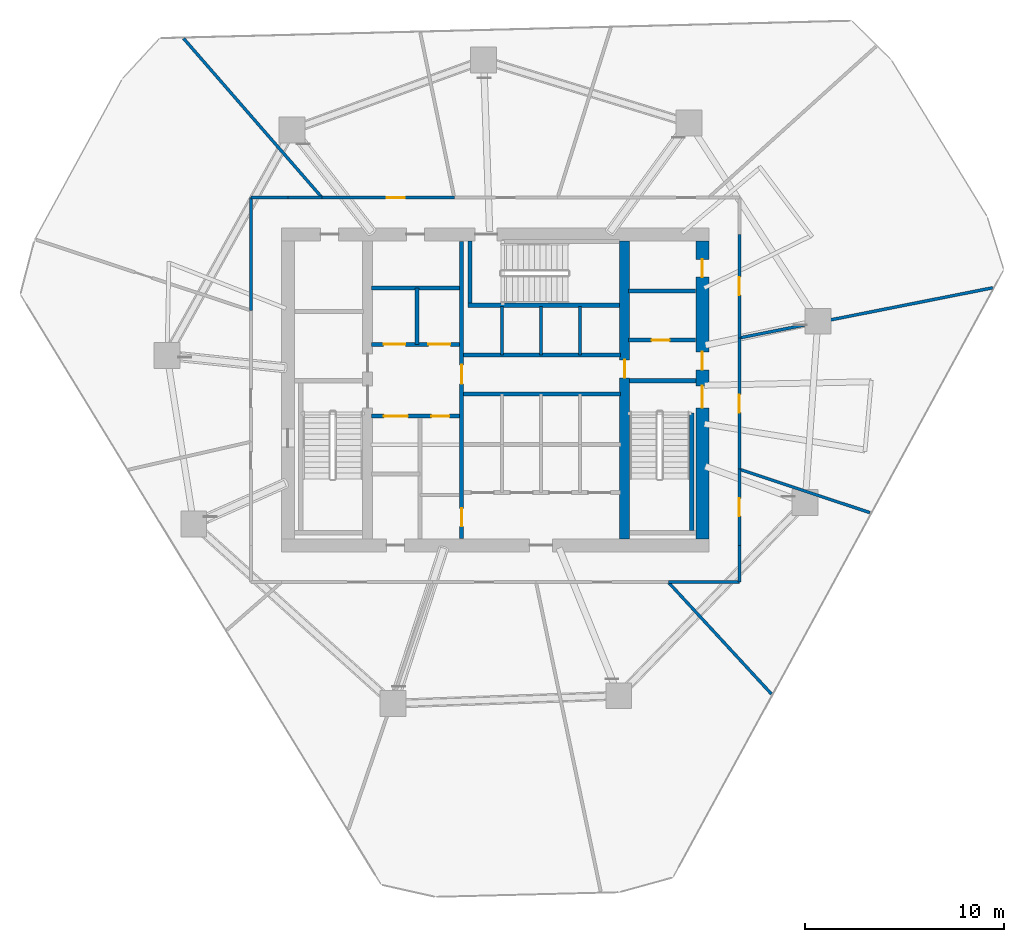
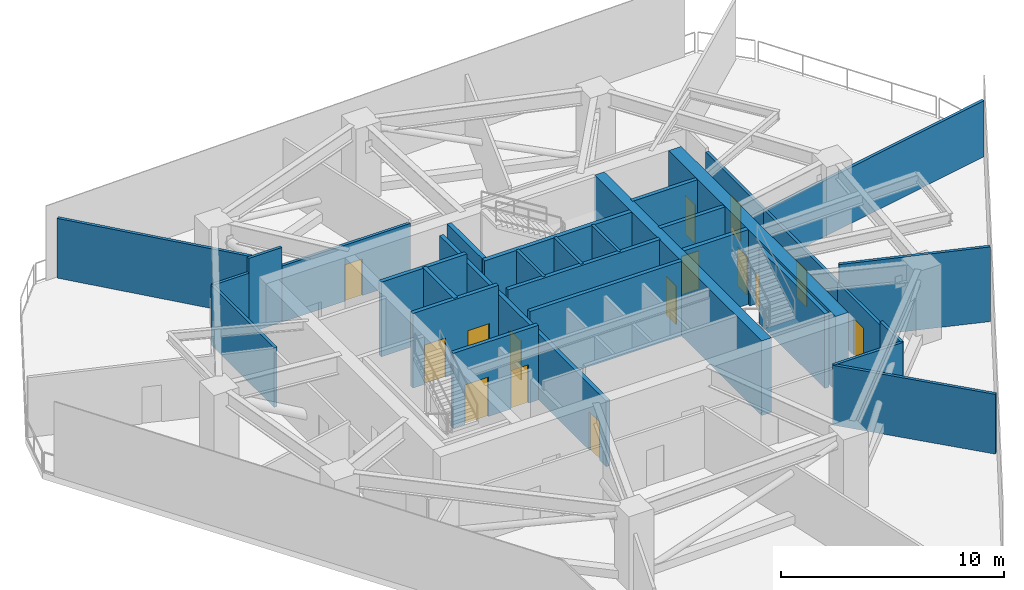
# One storey, part 4 of 7: 31 walls, 15 doors, 15 openings.
"""IFC4 building model written with IfcOpenShell, lengths in metres."""

from ifc_helpers import new_model, si_unit, direction, frame, frame_2d, origin, place, context, subcontext, project, spatial, rectangle, extrude, material, layer, layer_set, type_object, element, fill, save


model = new_model("IFC4")

# Units and contexts
model_context = context("Model", 3, precision=1e-05, world=origin(), true_north=direction((0.0, 1.0)))
body_context = subcontext(model_context, "Body", "Model", "MODEL_VIEW")
ifc_project = project(units=[si_unit("LENGTHUNIT", "METRE"), si_unit("AREAUNIT", "SQUARE_METRE"), si_unit("VOLUMEUNIT", "CUBIC_METRE"), si_unit("PLANEANGLEUNIT", "RADIAN"), si_unit("MASSUNIT", "GRAM", prefix="KILO")], contexts=[model_context])

# Site, building, storey
site_placement = place(None, origin())
site = spatial("IfcSite", under=ifc_project, at=site_placement, CompositionType="ELEMENT")
building_placement = place(site_placement, origin())
building = spatial("IfcBuilding", under=site, at=building_placement, Name="Qarnah Convention Tower", CompositionType="ELEMENT")
storey_placement = place(building_placement, frame((0.0, 0.0, 71.85009765625)))
storey = spatial("IfcBuildingStorey", under=building, at=storey_placement, Name="L18", CompositionType="ELEMENT", Elevation=71.85009765625)

# Wall, openings, doors
ifc_material_1 = material(Name="Concrete C60/75", Category="concrete")
ifc_layer_1 = layer(ifc_material_1, 0.64990234375)
ifc_layer_set_1 = layer_set([ifc_layer_1], Name="Concrete C60/75")
wall_type_1 = type_object("IfcWallType", Name="WL-CORE-650", PredefinedType="SHEAR", material=ifc_layer_set_1)
wall_1_placement = place(storey_placement, frame((47.60009765625, 18.925048828125, 0.0), z_axis=(0.0, 0.0, 1.0), x_axis=(0.0, 1.0, 0.0)))
wall_1 = element("IfcWall", 1, at=wall_1_placement, inside=storey, type_object=wall_type_1, Name="L18 core east shear wall", PredefinedType="SHEAR", context=body_context, shape_type="SweptSolid", body=[
    extrude(rectangle(XDim=14.949951171875, YDim=0.64990234375, at=frame_2d((7.47509765625, 0.0))), origin(), (0.0, 0.0, 1.0), 4.079833984375),
])
opening_1_placement = place(wall_1_placement, frame((6.574951171875, 0.0, 0.0)))
opening_1 = element("IfcOpeningElement", 2, at=opening_1_placement, cuts=wall_1, Name="Opening D-1802", PredefinedType="OPENING", context=body_context, shape_type="SweptSolid", body=[
    extrude(rectangle(XDim=1.10009765625, YDim=2.14990234375, at=frame_2d((0.550048828125, 1.074951171875))), frame((0.0, 0.3349609375, 0.0), z_axis=(0.0, -1.0, 0.0), x_axis=(1.0, 0.0, 0.0)), (0.0, 0.0, 1.0), 0.669921875),
])
opening_2_placement = place(wall_1_placement, frame((8.47509765625, 0.0, 0.0)))
opening_2 = element("IfcOpeningElement", 3, at=opening_2_placement, cuts=wall_1, Name="Opening D-1806", PredefinedType="OPENING", context=body_context, shape_type="SweptSolid", body=[
    extrude(rectangle(XDim=0.89990234375, YDim=2.10009765625, at=frame_2d((0.449951171875, 1.050048828125))), frame((0.0, 0.3349609375, 0.0), z_axis=(0.0, -1.0, 0.0), x_axis=(1.0, 0.0, 0.0)), (0.0, 0.0, 1.0), 0.669921875),
])
opening_3_placement = place(wall_1_placement, frame((13.125, 0.0, 0.0)))
opening_3 = element("IfcOpeningElement", 4, at=opening_3_placement, cuts=wall_1, Name="Opening D-1812", PredefinedType="OPENING", context=body_context, shape_type="SweptSolid", body=[
    extrude(rectangle(XDim=0.89990234375, YDim=2.10009765625, at=frame_2d((0.449951171875, 1.050048828125))), frame((0.0, 0.3349609375, 0.0), z_axis=(0.0, -1.0, 0.0), x_axis=(1.0, 0.0, 0.0)), (0.0, 0.0, 1.0), 0.669921875),
])
ifc_material_2 = material(Name="Structural steel S355JR", Category="steel")
door_type_1 = type_object("IfcDoorType", Name="DT-RISER-900", OperationType="NOTDEFINED", PredefinedType="DOOR", material=ifc_material_2)
door_1_placement = place(opening_2_placement, origin())
door_1 = element("IfcDoor", 5, at=door_1_placement, inside=storey, type_object=door_type_1, Name="Door D-1806", OperationType="SINGLE_SWING_LEFT", OverallHeight=2.10009765625, OverallWidth=0.89990234375, PredefinedType="DOOR", context=body_context, shape_type="SweptSolid", body=[
    extrude(rectangle(XDim=0.89990234375, YDim=2.10009765625, at=frame_2d((0.449951171875, 1.050048828125))), frame((0.0, 0.02490234375, 0.0), z_axis=(0.0, -1.0, 0.0), x_axis=(1.0, 0.0, 0.0)), (0.0, 0.0, 1.0), 0.050048828125),
])
fill(opening_2, door_1)
door_2_placement = place(opening_3_placement, origin())
door_2 = element("IfcDoor", 6, at=door_2_placement, inside=storey, type_object=door_type_1, Name="Door D-1812", OperationType="SINGLE_SWING_LEFT", OverallHeight=2.10009765625, OverallWidth=0.89990234375, PredefinedType="DOOR", context=body_context, shape_type="SweptSolid", body=[
    extrude(rectangle(XDim=0.89990234375, YDim=2.10009765625, at=frame_2d((0.449951171875, 1.050048828125))), frame((0.0, 0.02490234375, 0.0), z_axis=(0.0, -1.0, 0.0), x_axis=(1.0, 0.0, 0.0)), (0.0, 0.0, 1.0), 0.050048828125),
])
fill(opening_3, door_2)
door_type_2 = type_object("IfcDoorType", Name="DT-STAIR-1100", OperationType="NOTDEFINED", PredefinedType="DOOR", material=ifc_material_2)
door_3_placement = place(opening_1_placement, origin())
door_3 = element("IfcDoor", 7, at=door_3_placement, inside=storey, type_object=door_type_2, Name="Door D-1802", OperationType="SINGLE_SWING_LEFT", OverallHeight=2.14990234375, OverallWidth=1.10009765625, PredefinedType="DOOR", context=body_context, shape_type="SweptSolid", body=[
    extrude(rectangle(XDim=1.10009765625, YDim=2.14990234375, at=frame_2d((0.550048828125, 1.074951171875))), frame((0.0, 0.02490234375, 0.0), z_axis=(0.0, -1.0, 0.0), x_axis=(1.0, 0.0, 0.0)), (0.0, 0.0, 1.0), 0.050048828125),
])
fill(opening_1, door_3)

# Wall, opening, door
ifc_layer_2 = layer(ifc_material_1, 0.5)
ifc_layer_set_2 = layer_set([ifc_layer_2], Name="Concrete C60/75")
wall_type_2 = type_object("IfcWallType", Name="WL-CORE-INT-400", PredefinedType="SHEAR", material=ifc_layer_set_2)
wall_2_placement = place(storey_placement, frame((43.699951171875, 18.925048828125, 0.0), z_axis=(0.0, 0.0, 1.0), x_axis=(0.0, 1.0, 0.0)))
wall_2 = element("IfcWall", 8, at=wall_2_placement, inside=storey, type_object=wall_type_2, Name="L18 core east spine shear wall", PredefinedType="SHEAR", context=body_context, shape_type="SweptSolid", body=[
    extrude(rectangle(XDim=14.949951171875, YDim=0.5, at=frame_2d((7.47509765625, 0.0))), origin(), (0.0, 0.0, 1.0), 4.079833984375),
])
opening_4_placement = place(wall_2_placement, frame((8.074951171875, 0.0, 0.0)))
opening_4 = element("IfcOpeningElement", 9, at=opening_4_placement, cuts=wall_2, Name="Opening D-1805", PredefinedType="OPENING", context=body_context, shape_type="SweptSolid", body=[
    extrude(rectangle(XDim=0.89990234375, YDim=2.10009765625, at=frame_2d((0.449951171875, 1.050048828125))), frame((0.0, 0.260009765625, 0.0), z_axis=(0.0, -1.0, 0.0), x_axis=(1.0, 0.0, 0.0)), (0.0, 0.0, 1.0), 0.52001953125),
])
door_4_placement = place(opening_4_placement, origin())
door_4 = element("IfcDoor", 10, at=door_4_placement, inside=storey, type_object=door_type_1, Name="Door D-1805", OperationType="SINGLE_SWING_RIGHT", OverallHeight=2.10009765625, OverallWidth=0.89990234375, PredefinedType="DOOR", context=body_context, shape_type="SweptSolid", body=[
    extrude(rectangle(XDim=0.89990234375, YDim=2.10009765625, at=frame_2d((0.449951171875, 1.050048828125))), frame((0.0, 0.02490234375, 0.0), z_axis=(0.0, -1.0, 0.0), x_axis=(1.0, 0.0, 0.0)), (0.0, 0.0, 1.0), 0.050048828125),
])
fill(opening_4, door_4)

ifc_material_3 = material(Name="Concrete C45/55", Category="concrete")
ifc_layer_3 = layer(ifc_material_3, 0.199951171875)
ifc_layer_set_3 = layer_set([ifc_layer_3], Name="Concrete C45/55")
wall_type_3 = type_object("IfcWallType", Name="WL-CORE-PART-200", PredefinedType="SOLIDWALL", material=ifc_layer_set_3)
wall_3_placement = place(storey_placement, frame((43.89990234375, 28.89990234375, 0.0), z_axis=(0.0, 0.0, 1.0), x_axis=(1.0, 0.0, 0.0)))
wall_3 = element("IfcWall", 11, at=wall_3_placement, inside=storey, type_object=wall_type_3, Name="L18 interior wall IW-L18-EVSTN", PredefinedType="SOLIDWALL", context=body_context, shape_type="SweptSolid", body=[
    extrude(rectangle(XDim=3.35009765625, YDim=0.199951171875, at=frame_2d((1.675048828125, 0.0))), origin(), (0.0, 0.0, 1.0), 4.079833984375),
])
opening_5_placement = place(wall_3_placement, frame((1.14990234375, 0.0, 0.0)))
opening_5 = element("IfcOpeningElement", 12, at=opening_5_placement, cuts=wall_3, Name="Opening D-1811", PredefinedType="OPENING", context=body_context, shape_type="SweptSolid", body=[
    extrude(rectangle(XDim=0.89990234375, YDim=2.10009765625, at=frame_2d((0.449951171875, 1.050048828125))), frame((0.0, 0.10986328125, 0.0), z_axis=(0.0, -1.0, 0.0), x_axis=(1.0, 0.0, 0.0)), (0.0, 0.0, 1.0), 0.219970703125),
])
door_5_placement = place(opening_5_placement, origin())
door_5 = element("IfcDoor", 13, at=door_5_placement, inside=storey, type_object=door_type_1, Name="Door D-1811", OperationType="SINGLE_SWING_RIGHT", OverallHeight=2.10009765625, OverallWidth=0.89990234375, PredefinedType="DOOR", context=body_context, shape_type="SweptSolid", body=[
    extrude(rectangle(XDim=0.89990234375, YDim=2.10009765625, at=frame_2d((0.449951171875, 1.050048828125))), frame((0.0, 0.02490234375, 0.0), z_axis=(0.0, -1.0, 0.0), x_axis=(1.0, 0.0, 0.0)), (0.0, 0.0, 1.0), 0.050048828125),
])
fill(opening_5, door_5)

# Wall
wall_4_placement = place(storey_placement, frame((43.89990234375, 31.35009765625, 0.0), z_axis=(0.0, 0.0, 1.0), x_axis=(1.0, 0.0, 0.0)))
element("IfcWall", 14, at=wall_4_placement, inside=storey, type_object=wall_type_3, Name="L18 interior wall IW-L18-WTRN", PredefinedType="SOLIDWALL", context=body_context, shape_type="SweptSolid", body=[
    extrude(rectangle(XDim=3.35009765625, YDim=0.199951171875, at=frame_2d((1.675048828125, 0.0))), origin(), (0.0, 0.0, 1.0), 4.079833984375),
])

# Wall, openings, doors
wall_5_placement = place(storey_placement, frame((35.52001953125, 18.949951171875, 0.0), z_axis=(0.0, 0.0, 1.0), x_axis=(0.0, 1.0, 0.0)))
wall_5 = element("IfcWall", 15, at=wall_5_placement, inside=storey, type_object=wall_type_3, Name="L18 interior wall IW-L18-CSP", PredefinedType="SOLIDWALL", context=body_context, shape_type="SweptSolid", body=[
    extrude(rectangle(XDim=14.900146484375, YDim=0.199951171875, at=frame_2d((7.4501953125, 0.0))), origin(), (0.0, 0.0, 1.0), 3.600830078125),
])
opening_6_placement = place(wall_5_placement, frame((7.7548828125, 0.0, 0.0)))
opening_6 = element("IfcOpeningElement", 16, at=opening_6_placement, cuts=wall_5, Name="Opening D-1804", PredefinedType="OPENING", context=body_context, shape_type="SweptSolid", body=[
    extrude(rectangle(XDim=0.949951171875, YDim=2.14990234375, at=frame_2d((0.47509765625, 1.074951171875))), frame((0.0, 0.10986328125, 0.0), z_axis=(0.0, -1.0, 0.0), x_axis=(1.0, 0.0, 0.0)), (0.0, 0.0, 1.0), 0.219970703125),
])
opening_7_placement = place(wall_5_placement, frame((0.60009765625, 0.0, 0.0)))
opening_7 = element("IfcOpeningElement", 17, at=opening_7_placement, cuts=wall_5, Name="Opening D-1814", PredefinedType="OPENING", context=body_context, shape_type="SweptSolid", body=[
    extrude(rectangle(XDim=0.89990234375, YDim=2.10009765625, at=frame_2d((0.449951171875, 1.050048828125))), frame((0.0, 0.10986328125, 0.0), z_axis=(0.0, -1.0, 0.0), x_axis=(1.0, 0.0, 0.0)), (0.0, 0.0, 1.0), 0.219970703125),
])
ifc_material_4 = material(Name="Oak timber veneer", Category="wood")
door_type_3 = type_object("IfcDoorType", Name="DT-HOTEL-950", OperationType="NOTDEFINED", PredefinedType="DOOR", material=ifc_material_4)
door_6_placement = place(opening_6_placement, origin())
door_6 = element("IfcDoor", 18, at=door_6_placement, inside=storey, type_object=door_type_3, Name="Door D-1804", OperationType="SINGLE_SWING_LEFT", OverallHeight=2.14990234375, OverallWidth=0.949951171875, PredefinedType="DOOR", context=body_context, shape_type="SweptSolid", body=[
    extrude(rectangle(XDim=0.949951171875, YDim=2.14990234375, at=frame_2d((0.47509765625, 1.074951171875))), frame((0.0, 0.02490234375, 0.0), z_axis=(0.0, -1.0, 0.0), x_axis=(1.0, 0.0, 0.0)), (0.0, 0.0, 1.0), 0.050048828125),
])
fill(opening_6, door_6)
door_7_placement = place(opening_7_placement, origin())
door_7 = element("IfcDoor", 19, at=door_7_placement, inside=storey, type_object=door_type_1, Name="Door D-1814", OperationType="SINGLE_SWING_LEFT", OverallHeight=2.10009765625, OverallWidth=0.89990234375, PredefinedType="DOOR", context=body_context, shape_type="SweptSolid", body=[
    extrude(rectangle(XDim=0.89990234375, YDim=2.10009765625, at=frame_2d((0.449951171875, 1.050048828125))), frame((0.0, 0.02490234375, 0.0), z_axis=(0.0, -1.0, 0.0), x_axis=(1.0, 0.0, 0.0)), (0.0, 0.0, 1.0), 0.050048828125),
])
fill(opening_7, door_7)

wall_6_placement = place(storey_placement, frame((31.0, 28.679931640625, 0.0), z_axis=(0.0, 0.0, 1.0), x_axis=(1.0, 0.0, 0.0)))
wall_6 = element("IfcWall", 20, at=wall_6_placement, inside=storey, type_object=wall_type_3, Name="L18 interior wall IW-L18-FFLS", PredefinedType="SOLIDWALL", context=body_context, shape_type="SweptSolid", body=[
    extrude(rectangle(XDim=4.419921875, YDim=0.199951171875, at=frame_2d((2.2099609375, 0.0))), origin(), (0.0, 0.0, 1.0), 4.079833984375),
])
opening_8_placement = place(wall_6_placement, frame((0.60009765625, 0.0, 0.0)))
opening_8 = element("IfcOpeningElement", 21, at=opening_8_placement, cuts=wall_6, Name="Opening LD-1801", PredefinedType="OPENING", context=body_context, shape_type="SweptSolid", body=[
    extrude(rectangle(XDim=1.10009765625, YDim=2.14990234375, at=frame_2d((0.550048828125, 1.074951171875))), frame((0.0, 0.10986328125, 0.0), z_axis=(0.0, -1.0, 0.0), x_axis=(1.0, 0.0, 0.0)), (0.0, 0.0, 1.0), 0.219970703125),
])
opening_9_placement = place(wall_6_placement, frame((2.85009765625, 0.0, 0.0)))
opening_9 = element("IfcOpeningElement", 22, at=opening_9_placement, cuts=wall_6, Name="Opening LD-1802", PredefinedType="OPENING", context=body_context, shape_type="SweptSolid", body=[
    extrude(rectangle(XDim=1.10009765625, YDim=2.14990234375, at=frame_2d((0.550048828125, 1.074951171875))), frame((0.0, 0.10986328125, 0.0), z_axis=(0.0, -1.0, 0.0), x_axis=(1.0, 0.0, 0.0)), (0.0, 0.0, 1.0), 0.219970703125),
])
door_type_4 = type_object("IfcDoorType", Name="DT-LIFT-1100", OperationType="SLIDING_TO_LEFT", PredefinedType="DOOR", material=ifc_material_2)
door_8_placement = place(opening_8_placement, origin())
door_8 = element("IfcDoor", 23, at=door_8_placement, inside=storey, type_object=door_type_4, Name="Door LD-1801", OperationType="SLIDING_TO_LEFT", OverallHeight=2.14990234375, OverallWidth=1.10009765625, PredefinedType="DOOR", context=body_context, shape_type="SweptSolid", body=[
    extrude(rectangle(XDim=1.10009765625, YDim=2.14990234375, at=frame_2d((0.550048828125, 1.074951171875))), frame((0.0, 0.02490234375, 0.0), z_axis=(0.0, -1.0, 0.0), x_axis=(1.0, 0.0, 0.0)), (0.0, 0.0, 1.0), 0.050048828125),
])
fill(opening_8, door_8)
door_9_placement = place(opening_9_placement, origin())
door_9 = element("IfcDoor", 24, at=door_9_placement, inside=storey, type_object=door_type_4, Name="Door LD-1802", OperationType="SLIDING_TO_LEFT", OverallHeight=2.14990234375, OverallWidth=1.10009765625, PredefinedType="DOOR", context=body_context, shape_type="SweptSolid", body=[
    extrude(rectangle(XDim=1.10009765625, YDim=2.14990234375, at=frame_2d((0.550048828125, 1.074951171875))), frame((0.0, 0.02490234375, 0.0), z_axis=(0.0, -1.0, 0.0), x_axis=(1.0, 0.0, 0.0)), (0.0, 0.0, 1.0), 0.050048828125),
])
fill(opening_9, door_9)

# Walls
wall_7_placement = place(storey_placement, frame((31.0, 31.5, 0.0), z_axis=(0.0, 0.0, 1.0), x_axis=(1.0, 0.0, 0.0)))
element("IfcWall", 25, at=wall_7_placement, inside=storey, type_object=wall_type_3, Name="L18 interior wall IW-L18-FFLN", PredefinedType="SOLIDWALL", context=body_context, shape_type="SweptSolid", body=[
    extrude(rectangle(XDim=4.419921875, YDim=0.199951171875, at=frame_2d((2.2099609375, 0.0))), origin(), (0.0, 0.0, 1.0), 4.079833984375),
])
wall_8_placement = place(storey_placement, frame((33.280029296875, 28.679931640625, 0.0), z_axis=(0.0, 0.0, 1.0), x_axis=(0.0, 1.0, 0.0)))
element("IfcWall", 26, at=wall_8_placement, inside=storey, type_object=wall_type_3, Name="L18 interior wall IW-L18-FFLM", PredefinedType="SOLIDWALL", context=body_context, shape_type="SweptSolid", body=[
    extrude(rectangle(XDim=2.820068359375, YDim=0.199951171875, at=frame_2d((1.41015625, 0.0))), origin(), (0.0, 0.0, 1.0), 4.079833984375),
])

# Wall, openings, doors
wall_9_placement = place(storey_placement, frame((31.0, 25.080078125, 0.0), z_axis=(0.0, 0.0, 1.0), x_axis=(1.0, 0.0, 0.0)))
wall_9 = element("IfcWall", 27, at=wall_9_placement, inside=storey, type_object=wall_type_3, Name="L18 interior wall IW-L18-FFLBS", PredefinedType="SOLIDWALL", context=body_context, shape_type="SweptSolid", body=[
    extrude(rectangle(XDim=4.419921875, YDim=0.199951171875, at=frame_2d((2.2099609375, 0.0))), origin(), (0.0, 0.0, 1.0), 4.079833984375),
])
opening_10_placement = place(wall_9_placement, frame((3.0, 0.0, 0.0)))
opening_10 = element("IfcOpeningElement", 28, at=opening_10_placement, cuts=wall_9, Name="Opening D-1815", PredefinedType="OPENING", context=body_context, shape_type="SweptSolid", body=[
    extrude(rectangle(XDim=0.89990234375, YDim=2.10009765625, at=frame_2d((0.449951171875, 1.050048828125))), frame((0.0, 0.10986328125, 0.0), z_axis=(0.0, -1.0, 0.0), x_axis=(1.0, 0.0, 0.0)), (0.0, 0.0, 1.0), 0.219970703125),
])
opening_11_placement = place(wall_9_placement, frame((0.6201171875, 0.0, 0.0)))
opening_11 = element("IfcOpeningElement", 29, at=opening_11_placement, cuts=wall_9, Name="Opening LD-1803", PredefinedType="OPENING", context=body_context, shape_type="SweptSolid", body=[
    extrude(rectangle(XDim=1.199951171875, YDim=2.14990234375, at=frame_2d((0.60009765625, 1.074951171875))), frame((0.0, 0.10986328125, 0.0), z_axis=(0.0, -1.0, 0.0), x_axis=(1.0, 0.0, 0.0)), (0.0, 0.0, 1.0), 0.219970703125),
])
door_type_5 = type_object("IfcDoorType", Name="DT-LIFT-1200", OperationType="SLIDING_TO_LEFT", PredefinedType="DOOR", material=ifc_material_2)
door_10_placement = place(opening_11_placement, origin())
door_10 = element("IfcDoor", 30, at=door_10_placement, inside=storey, type_object=door_type_5, Name="Door LD-1803", OperationType="SLIDING_TO_LEFT", OverallHeight=2.14990234375, OverallWidth=1.199951171875, PredefinedType="DOOR", context=body_context, shape_type="SweptSolid", body=[
    extrude(rectangle(XDim=1.199951171875, YDim=2.14990234375, at=frame_2d((0.60009765625, 1.074951171875))), frame((0.0, 0.02490234375, 0.0), z_axis=(0.0, -1.0, 0.0), x_axis=(1.0, 0.0, 0.0)), (0.0, 0.0, 1.0), 0.050048828125),
])
fill(opening_11, door_10)
door_11_placement = place(opening_10_placement, origin())
door_11 = element("IfcDoor", 31, at=door_11_placement, inside=storey, type_object=door_type_1, Name="Door D-1815", OperationType="SINGLE_SWING_RIGHT", OverallHeight=2.10009765625, OverallWidth=0.89990234375, PredefinedType="DOOR", context=body_context, shape_type="SweptSolid", body=[
    extrude(rectangle(XDim=0.89990234375, YDim=2.10009765625, at=frame_2d((0.449951171875, 1.050048828125))), frame((0.0, 0.02490234375, 0.0), z_axis=(0.0, -1.0, 0.0), x_axis=(1.0, 0.0, 0.0)), (0.0, 0.0, 1.0), 0.050048828125),
])
fill(opening_10, door_11)

# Walls
for number, where, z_axis, x_axis, name in (
    (32, (35.6201171875, 28.14990234375, 0.0), (0.0, 0.0, 1.0), (1.0, 0.0, 0.0), "L18 interior wall IW-L18-PHS"),
    (33, (35.6201171875, 26.199951171875, 0.0), (0.0, 0.0, 1.0), (1.0, 0.0, 0.0), "L18 interior wall IW-L18-PMN"),
):
    element("IfcWall", number, at=place(storey_placement, frame(where, z_axis=z_axis, x_axis=x_axis)), inside=storey, type_object=wall_type_3, Name=name, PredefinedType="SOLIDWALL", context=body_context, shape_type="SweptSolid", body=[
        extrude(rectangle(XDim=7.8798828125, YDim=0.199951171875, at=frame_2d((3.93994140625, 0.0))), origin(), (0.0, 0.0, 1.0), 4.079833984375),
    ])
ifc_layer_4 = layer(ifc_material_1, 0.219970703125)
ifc_layer_set_4 = layer_set([ifc_layer_4], Name="Concrete C60/75")
wall_type_4 = type_object("IfcWallType", Name="WL-CORE-STAIR-220", PredefinedType="SHEAR", material=ifc_layer_set_4)
wall_10_placement = place(storey_placement, frame((43.949951171875, 26.860107421875, 0.0), z_axis=(0.0, 0.0, 1.0), x_axis=(1.0, 0.0, 0.0)))
element("IfcWall", 34, at=wall_10_placement, inside=storey, type_object=wall_type_4, Name="L18 stair shaft shear wall SW-L18-ST2N", PredefinedType="SHEAR", context=body_context, shape_type="SweptSolid", body=[
    extrude(rectangle(XDim=3.324951171875, YDim=0.219970703125, at=frame_2d((1.66259765625, 0.0))), origin(), (0.0, 0.0, 1.0), 4.079833984375),
])
wall_11_placement = place(storey_placement, frame((47.06005859375, 19.35009765625, 0.0), z_axis=(0.0, 0.0, 1.0), x_axis=(0.0, 1.0, 0.0)))
element("IfcWall", 35, at=wall_11_placement, inside=storey, type_object=wall_type_4, Name="L18 stair shaft shear wall SW-L18-ST2E", PredefinedType="SHEAR", context=body_context, shape_type="SweptSolid", body=[
    extrude(rectangle(XDim=5.89990234375, YDim=0.219970703125, at=frame_2d((2.949951171875, 0.0))), origin(), (0.0, 0.0, 1.0), 4.079833984375),
])
wall_12_placement = place(storey_placement, frame((35.840087890625, 30.639892578125, 0.0), z_axis=(0.0, 0.0, 1.0), x_axis=(1.0, 0.0, 0.0)))
element("IfcWall", 36, at=wall_12_placement, inside=storey, type_object=wall_type_4, Name="L18 stair shaft shear wall SW-L18-ST3S", PredefinedType="SHEAR", context=body_context, shape_type="SweptSolid", body=[
    extrude(rectangle(XDim=7.60986328125, YDim=0.219970703125, at=frame_2d((3.804931640625, 0.0))), origin(), (0.0, 0.0, 1.0), 4.079833984375),
])
wall_13_placement = place(storey_placement, frame((35.93994140625, 30.75, 0.0), z_axis=(0.0, 0.0, 1.0), x_axis=(0.0, 1.0, 0.0)))
element("IfcWall", 37, at=wall_13_placement, inside=storey, type_object=wall_type_4, Name="L18 stair shaft shear wall SW-L18-ST3W", PredefinedType="SHEAR", context=body_context, shape_type="SweptSolid", body=[
    extrude(rectangle(XDim=3.125, YDim=0.219970703125, at=frame_2d((1.5625, 0.0))), origin(), (0.0, 0.0, 1.0), 4.079833984375),
])
ifc_material_5 = material(Name="Gypsum partition board")
ifc_layer_5 = layer(ifc_material_5, 0.14990234375)
ifc_layer_set_5 = layer_set([ifc_layer_5], Name="Gypsum partition board")
wall_type_5 = type_object("IfcWallType", Name="WL-SUITE-150", PredefinedType="PARTITIONING", material=ifc_layer_set_5)
for number, where, z_axis, x_axis, name in (
    (38, (37.550048828125, 28.14990234375, 0.0), (0.0, 0.0, 1.0), (0.0, 1.0, 0.0), "L18 interior wall IW-L18-PHD1"),
    (39, (39.5, 28.14990234375, 0.0), (0.0, 0.0, 1.0), (0.0, 1.0, 0.0), "L18 interior wall IW-L18-PHD2"),
    (40, (41.449951171875, 28.14990234375, 0.0), (0.0, 0.0, 1.0), (0.0, 1.0, 0.0), "L18 interior wall IW-L18-PHD3"),
):
    element("IfcWall", number, at=place(storey_placement, frame(where, z_axis=z_axis, x_axis=x_axis)), inside=storey, type_object=wall_type_5, Name=name, PredefinedType="PARTITIONING", context=body_context, shape_type="SweptSolid", body=[
        extrude(rectangle(XDim=2.43017578125, YDim=0.14990234375, at=frame_2d((1.215087890625, 0.0))), origin(), (0.0, 0.0, 1.0), 4.079833984375),
    ])

# Wall, opening, door
wall_14_placement = place(storey_placement, frame((49.449951171875, 34.199951171875, 0.0), z_axis=(0.0, 0.0, 1.0), x_axis=(0.0, -1.0, 0.0)))
wall_14 = element("IfcWall", 41, at=wall_14_placement, inside=storey, type_object=wall_type_5, Name="L18 interior wall IW-L18-R-04", PredefinedType="PARTITIONING", context=body_context, shape_type="SweptSolid", body=[
    extrude(rectangle(XDim=5.196044921875, YDim=0.14990234375, at=frame_2d((2.59814453125, 0.0))), origin(), (0.0, 0.0, 1.0), 3.06494140625),
])
opening_12_placement = place(wall_14_placement, frame((2.14794921875, 0.0, 0.0)))
opening_12 = element("IfcOpeningElement", 42, at=opening_12_placement, cuts=wall_14, Name="Opening D-1816", PredefinedType="OPENING", context=body_context, shape_type="SweptSolid", body=[
    extrude(rectangle(XDim=0.89990234375, YDim=2.0, at=frame_2d((0.449951171875, 1.0))), frame((0.0, 0.0849609375, 0.0), z_axis=(0.0, -1.0, 0.0), x_axis=(1.0, 0.0, 0.0)), (0.0, 0.0, 1.0), 0.169921875),
])
door_type_6 = type_object("IfcDoorType", Name="DT-PLANT-900", OperationType="NOTDEFINED", PredefinedType="DOOR", material=ifc_material_2)
door_12_placement = place(opening_12_placement, origin())
door_12 = element("IfcDoor", 43, at=door_12_placement, inside=storey, type_object=door_type_6, Name="Door D-1816", OperationType="SINGLE_SWING_LEFT", OverallHeight=2.0, OverallWidth=0.89990234375, PredefinedType="DOOR", context=body_context, shape_type="SweptSolid", body=[
    extrude(rectangle(XDim=0.89990234375, YDim=2.0, at=frame_2d((0.449951171875, 1.0))), frame((0.0, 0.02490234375, 0.0), z_axis=(0.0, -1.0, 0.0), x_axis=(1.0, 0.0, 0.0)), (0.0, 0.0, 1.0), 0.050048828125),
])
fill(opening_12, door_12)

# Walls
wall_15_placement = place(storey_placement, frame((49.449951171875, 29.00390625, 0.0), z_axis=(0.0, 0.0, 1.0), x_axis=(0.980960623522, 0.194206732886, 0.0)))
element("IfcWall", 44, at=wall_15_placement, inside=storey, type_object=wall_type_5, Name="L18 interior wall IW-L18-R-05", PredefinedType="PARTITIONING", context=body_context, shape_type="SweptSolid", body=[
    extrude(rectangle(XDim=12.9609375, YDim=0.14990234375, at=frame_2d((6.48046875, 0.0))), origin(), (0.0, 0.0, 1.0), 3.06494140625),
])
wall_16_placement = place(storey_placement, frame((21.571044921875, 44.029052734375, 0.0), z_axis=(0.0, 0.0, 1.0), x_axis=(0.656269020125, -0.754526986412, 0.0)))
element("IfcWall", 45, at=wall_16_placement, inside=storey, type_object=wall_type_5, Name="L18 interior wall IW-L18-R-10", PredefinedType="PARTITIONING", context=body_context, shape_type="SweptSolid", body=[
    extrude(rectangle(XDim=10.574951171875, YDim=0.14990234375, at=frame_2d((5.28759765625, 0.0))), origin(), (0.0, 0.0, 1.0), 3.264892578125),
])

# Wall, opening, door
wall_17_placement = place(storey_placement, frame((28.510986328125, 36.050048828125, 0.0), z_axis=(0.0, 0.0, 1.0), x_axis=(1.0, 0.0, 0.0)))
wall_17 = element("IfcWall", 46, at=wall_17_placement, inside=storey, type_object=wall_type_5, Name="L18 interior wall IW-L18-R-11", PredefinedType="PARTITIONING", context=body_context, shape_type="SweptSolid", body=[
    extrude(rectangle(XDim=6.637939453125, YDim=0.14990234375, at=frame_2d((3.31884765625, 0.0))), origin(), (0.0, 0.0, 1.0), 3.06494140625),
])
opening_13_placement = place(wall_17_placement, frame((3.2451171875, 0.0, 0.0)))
opening_13 = element("IfcOpeningElement", 47, at=opening_13_placement, cuts=wall_17, Name="Opening D-1819", PredefinedType="OPENING", context=body_context, shape_type="SweptSolid", body=[
    extrude(rectangle(XDim=0.89990234375, YDim=2.0, at=frame_2d((0.449951171875, 1.0))), frame((0.0, 0.0849609375, 0.0), z_axis=(0.0, -1.0, 0.0), x_axis=(1.0, 0.0, 0.0)), (0.0, 0.0, 1.0), 0.169921875),
])
door_13_placement = place(opening_13_placement, origin())
door_13 = element("IfcDoor", 48, at=door_13_placement, inside=storey, type_object=door_type_6, Name="Door D-1819", OperationType="SINGLE_SWING_RIGHT", OverallHeight=2.0, OverallWidth=0.89990234375, PredefinedType="DOOR", context=body_context, shape_type="SweptSolid", body=[
    extrude(rectangle(XDim=0.89990234375, YDim=2.0, at=frame_2d((0.449951171875, 1.0))), frame((0.0, 0.02490234375, 0.0), z_axis=(0.0, -1.0, 0.0), x_axis=(1.0, 0.0, 0.0)), (0.0, 0.0, 1.0), 0.050048828125),
])
fill(opening_13, door_13)

# Walls
wall_18_placement = place(storey_placement, frame((24.949951171875, 30.3798828125, 0.0), z_axis=(0.0, 0.0, 1.0), x_axis=(0.0, 1.0, 0.0)))
element("IfcWall", 49, at=wall_18_placement, inside=storey, type_object=wall_type_5, Name="L18 interior wall IW-L18-R-13", PredefinedType="PARTITIONING", context=body_context, shape_type="SweptSolid", body=[
    extrude(rectangle(XDim=5.670166015625, YDim=0.14990234375, at=frame_2d((2.8349609375, 0.0))), origin(), (0.0, 0.0, 1.0), 3.264892578125),
])
wall_19_placement = place(storey_placement, frame((24.949951171875, 36.050048828125, 0.0), z_axis=(0.0, 0.0, 1.0), x_axis=(1.0, 0.0, 0.0)))
element("IfcWall", 50, at=wall_19_placement, inside=storey, type_object=wall_type_5, Name="L18 interior wall IW-L18-R-14", PredefinedType="PARTITIONING", context=body_context, shape_type="SweptSolid", body=[
    extrude(rectangle(XDim=1.85009765625, YDim=0.14990234375, at=frame_2d((0.925048828125, 0.0))), origin(), (0.0, 0.0, 1.0), 3.264892578125),
])
wall_20_placement = place(storey_placement, frame((26.800048828125, 36.050048828125, 0.0), z_axis=(0.0, 0.0, 1.0), x_axis=(1.0, 0.0, 0.0)))
element("IfcWall", 51, at=wall_20_placement, inside=storey, type_object=wall_type_5, Name="L18 interior wall IW-L18-R-15", PredefinedType="PARTITIONING", context=body_context, shape_type="SweptSolid", body=[
    extrude(rectangle(XDim=1.7109375, YDim=0.14990234375, at=frame_2d((0.85546875, 0.0))), origin(), (0.0, 0.0, 1.0), 4.079833984375),
])
wall_21_placement = place(storey_placement, frame((51.05810546875, 11.14697265625, 0.0), z_axis=(0.0, 0.0, 1.0), x_axis=(-0.678079226392, 0.734988818103, 0.0)))
element("IfcWall", 52, at=wall_21_placement, inside=storey, type_object=wall_type_5, Name="L18 interior wall IW-L18-R-26", PredefinedType="PARTITIONING", context=body_context, shape_type="SweptSolid", body=[
    extrude(rectangle(XDim=7.623291015625, YDim=0.14990234375, at=frame_2d((3.8115234375, 0.0))), origin(), (0.0, 0.0, 1.0), 3.264892578125),
])
wall_22_placement = place(storey_placement, frame((56.001953125, 20.237060546875, 0.0), z_axis=(0.0, 0.0, 1.0), x_axis=(-0.94873277877, 0.316079285128, 0.0)))
element("IfcWall", 53, at=wall_22_placement, inside=storey, type_object=wall_type_5, Name="L18 interior wall IW-L18-R-28", PredefinedType="PARTITIONING", context=body_context, shape_type="SweptSolid", body=[
    extrude(rectangle(XDim=6.906005859375, YDim=0.14990234375, at=frame_2d((3.453125, 0.0))), origin(), (0.0, 0.0, 1.0), 4.079833984375),
])

# Wall, opening, door
wall_23_placement = place(storey_placement, frame((49.449951171875, 22.419921875, 0.0), z_axis=(0.0, 0.0, 1.0), x_axis=(0.0, -1.0, 0.0)))
wall_23 = element("IfcWall", 54, at=wall_23_placement, inside=storey, type_object=wall_type_5, Name="L18 interior wall IW-L18-R-29", PredefinedType="PARTITIONING", context=body_context, shape_type="SweptSolid", body=[
    extrude(rectangle(XDim=3.81982421875, YDim=0.14990234375, at=frame_2d((1.909912109375, 0.0))), origin(), (0.0, 0.0, 1.0), 3.06494140625),
])
opening_14_placement = place(wall_23_placement, frame((1.4599609375, 0.0, 0.0)))
opening_14 = element("IfcOpeningElement", 55, at=opening_14_placement, cuts=wall_23, Name="Opening D-1826", PredefinedType="OPENING", context=body_context, shape_type="SweptSolid", body=[
    extrude(rectangle(XDim=0.89990234375, YDim=2.0, at=frame_2d((0.449951171875, 1.0))), frame((0.0, 0.0849609375, 0.0), z_axis=(0.0, -1.0, 0.0), x_axis=(1.0, 0.0, 0.0)), (0.0, 0.0, 1.0), 0.169921875),
])
door_14_placement = place(opening_14_placement, origin())
door_14 = element("IfcDoor", 56, at=door_14_placement, inside=storey, type_object=door_type_6, Name="Door D-1826", OperationType="SINGLE_SWING_LEFT", OverallHeight=2.0, OverallWidth=0.89990234375, PredefinedType="DOOR", context=body_context, shape_type="SweptSolid", body=[
    extrude(rectangle(XDim=0.89990234375, YDim=2.0, at=frame_2d((0.449951171875, 1.0))), frame((0.0, 0.02490234375, 0.0), z_axis=(0.0, -1.0, 0.0), x_axis=(1.0, 0.0, 0.0)), (0.0, 0.0, 1.0), 0.050048828125),
])
fill(opening_14, door_14)

# Walls
wall_24_placement = place(storey_placement, frame((49.449951171875, 18.60009765625, 0.0), z_axis=(0.0, 0.0, 1.0), x_axis=(0.0, -1.0, 0.0)))
element("IfcWall", 57, at=wall_24_placement, inside=storey, type_object=wall_type_5, Name="L18 interior wall IW-L18-R-30", PredefinedType="PARTITIONING", context=body_context, shape_type="SweptSolid", body=[
    extrude(rectangle(XDim=1.85009765625, YDim=0.14990234375, at=frame_2d((0.925048828125, 0.0))), origin(), (0.0, 0.0, 1.0), 3.264892578125),
])
wall_25_placement = place(storey_placement, frame((49.449951171875, 16.75, 0.0), z_axis=(0.0, 0.0, 1.0), x_axis=(-1.0, 0.0, 0.0)))
element("IfcWall", 58, at=wall_25_placement, inside=storey, type_object=wall_type_5, Name="L18 interior wall IW-L18-R-31", PredefinedType="PARTITIONING", context=body_context, shape_type="SweptSolid", body=[
    extrude(rectangle(XDim=3.56103515625, YDim=0.14990234375, at=frame_2d((1.780517578125, 0.0))), origin(), (0.0, 0.0, 1.0), 3.264892578125),
])

# Wall, opening, door
wall_26_placement = place(storey_placement, frame((49.449951171875, 29.00390625, 0.0), z_axis=(0.0, 0.0, 1.0), x_axis=(0.0, -1.0, 0.0)))
wall_26 = element("IfcWall", 59, at=wall_26_placement, inside=storey, type_object=wall_type_5, Name="L18 interior wall IW-L18-R-32", PredefinedType="PARTITIONING", context=body_context, shape_type="SweptSolid", body=[
    extrude(rectangle(XDim=6.583984375, YDim=0.14990234375, at=frame_2d((3.2919921875, 0.0))), origin(), (0.0, 0.0, 1.0), 3.06494140625),
])
opening_15_placement = place(wall_26_placement, frame((2.842041015625, 0.0, 0.0)))
opening_15 = element("IfcOpeningElement", 60, at=opening_15_placement, cuts=wall_26, Name="Opening D-1827", PredefinedType="OPENING", context=body_context, shape_type="SweptSolid", body=[
    extrude(rectangle(XDim=0.89990234375, YDim=2.0, at=frame_2d((0.449951171875, 1.0))), frame((0.0, 0.0849609375, 0.0), z_axis=(0.0, -1.0, 0.0), x_axis=(1.0, 0.0, 0.0)), (0.0, 0.0, 1.0), 0.169921875),
])
door_15_placement = place(opening_15_placement, origin())
door_15 = element("IfcDoor", 61, at=door_15_placement, inside=storey, type_object=door_type_6, Name="Door D-1827", OperationType="SINGLE_SWING_RIGHT", OverallHeight=2.0, OverallWidth=0.89990234375, PredefinedType="DOOR", context=body_context, shape_type="SweptSolid", body=[
    extrude(rectangle(XDim=0.89990234375, YDim=2.0, at=frame_2d((0.449951171875, 1.0))), frame((0.0, 0.02490234375, 0.0), z_axis=(0.0, -1.0, 0.0), x_axis=(1.0, 0.0, 0.0)), (0.0, 0.0, 1.0), 0.050048828125),
])
fill(opening_15, door_15)

save(model, "model.ifc")
